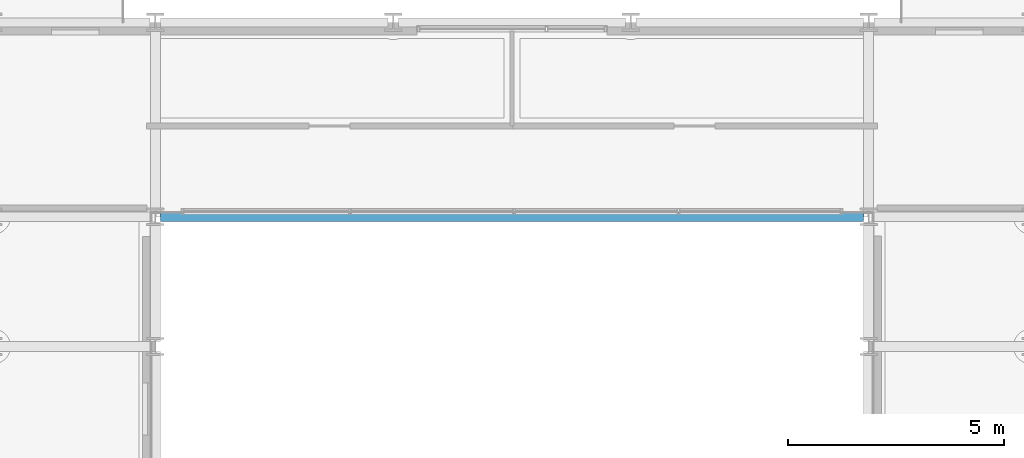
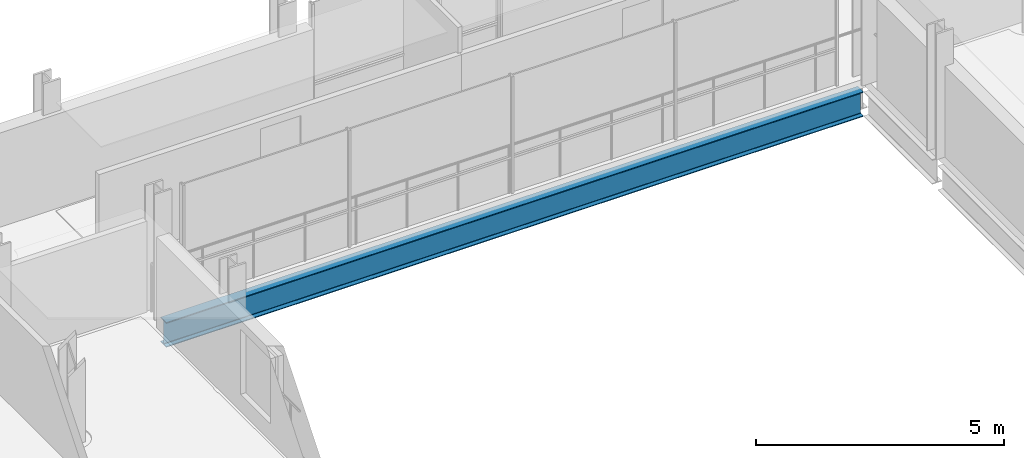
# One storey, part 12 of 41: 1 beam.
"""IFC4 building model written with IfcOpenShell, lengths in metres."""

from ifc_helpers import new_model, si_unit, direction, frame, origin, origin_2d, place, context, subcontext, project, spatial, i_section, extrude, material, material_profile, profile_set, type_object, element, save


model = new_model("IFC4")

# Units and contexts
model_context = context("Model", 3, precision=1e-05, world=origin(), true_north=direction((0.0, 1.0)))
body_context = subcontext(model_context, "Body", "Model", "MODEL_VIEW")
ifc_project = project(units=[si_unit("LENGTHUNIT", "METRE"), si_unit("AREAUNIT", "SQUARE_METRE"), si_unit("VOLUMEUNIT", "CUBIC_METRE"), si_unit("PLANEANGLEUNIT", "RADIAN"), si_unit("MASSUNIT", "GRAM", prefix="KILO")], contexts=[model_context])

# Site, building, storey
site_placement = place(None, origin())
site = spatial("IfcSite", under=ifc_project, at=site_placement, CompositionType="ELEMENT")
building_placement = place(site_placement, origin())
building = spatial("IfcBuilding", under=site, at=building_placement, Name="Brevholm Reach", CompositionType="ELEMENT")
storey_placement = place(building_placement, frame((0.0, 0.0, 157.300048828125)))
storey = spatial("IfcBuildingStorey", under=building, at=storey_placement, Name="L47", CompositionType="ELEMENT", Elevation=157.300048828125)

# Beam
ifc_material = material(Name="Structural Steel S355J2", Category="steel")
ifc_material_profile = material_profile(ifc_material, i_section(OverallWidth=0.22900390625, OverallDepth=0.6123046875, WebThickness=0.011962890625, FlangeThickness=0.01953125, FilletRadius=0.0126953125, at=origin_2d()), Name="UKB 610x229x125")
ifc_profile_set = profile_set([ifc_material_profile], Name="Structural Steel S355J2")
beam_type = type_object("IfcBeamType", Name="BM-SP610", PredefinedType="SPANDREL", material=ifc_profile_set)
beam_placement = place(storey_placement, frame((21.8701171875, 26.5, -0.526123046875), z_axis=(1.0, 0.0, 0.0), x_axis=(0.0, 1.0, 0.0)))
element("IfcBeam", 1, at=beam_placement, inside=storey, type_object=beam_type, Name="L47 SP-01 Framing Beam", PredefinedType="SPANDREL", context=body_context, shape_type="SweptSolid", body=[
    extrude(i_section(OverallWidth=0.22900390625, OverallDepth=0.6123046875, WebThickness=0.011962890625, FlangeThickness=0.01953125, FilletRadius=0.0126953125, at=origin_2d()), origin(), (0.0, 0.0, 1.0), 16.259765625),
])

save(model, "model.ifc")
